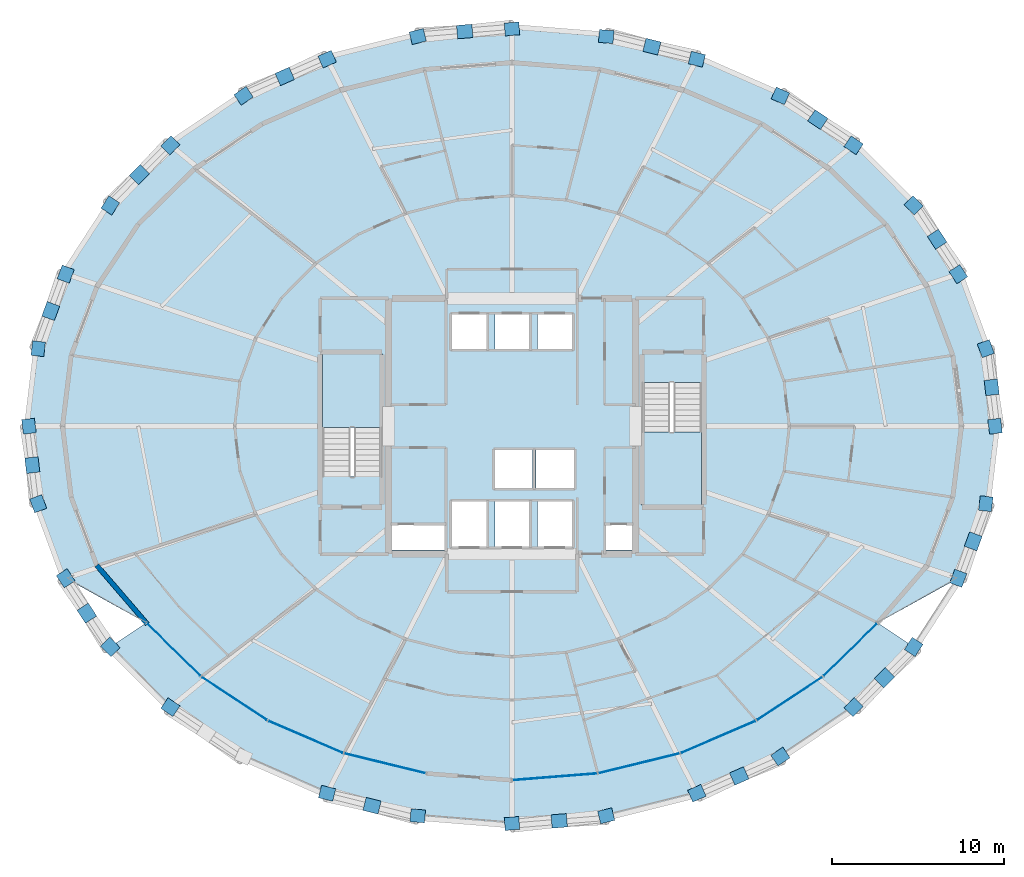
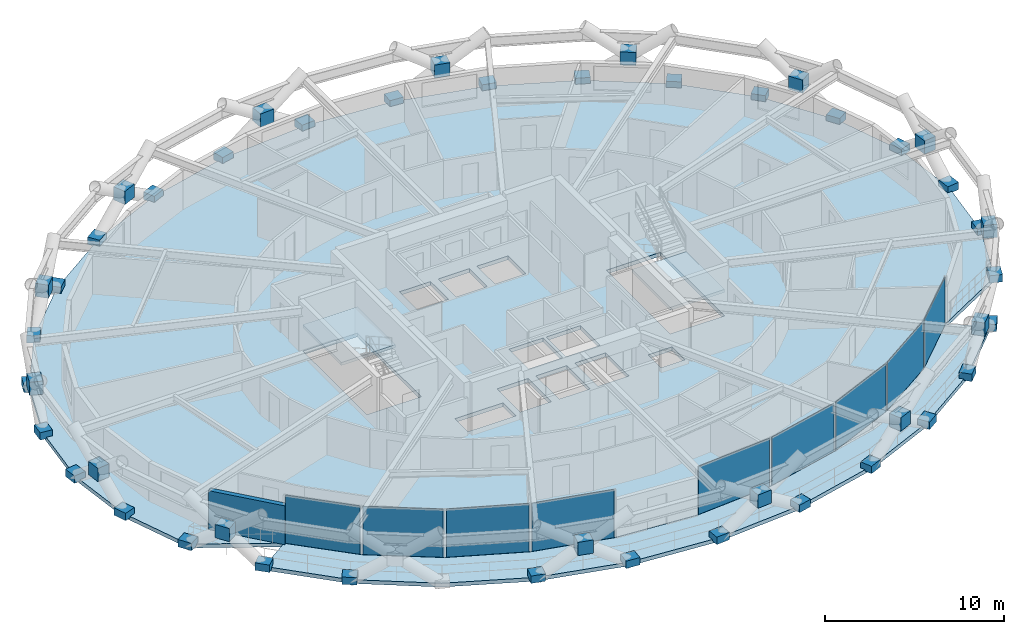
# One storey, part 12 of 19: 55 plates, 4 slabs, 1 wall, 4 elements without a shape of their own.
"""IFC4 building model written with IfcOpenShell, lengths in metres."""

from ifc_helpers import new_model, si_unit, direction, frame, frame_2d, origin, origin_2d, place, context, subcontext, project, spatial, polyline, rectangle, outline, extrude, material, layer, layer_set, type_object, element, aggregate, save


model = new_model("IFC4")

# Units and contexts
model_context = context("Model", 3, precision=1e-05, world=origin(), true_north=direction((0.0, 1.0)))
body_context = subcontext(model_context, "Body", "Model", "MODEL_VIEW")
ifc_project = project(units=[si_unit("LENGTHUNIT", "METRE"), si_unit("AREAUNIT", "SQUARE_METRE"), si_unit("VOLUMEUNIT", "CUBIC_METRE"), si_unit("PLANEANGLEUNIT", "RADIAN"), si_unit("MASSUNIT", "GRAM", prefix="KILO")], contexts=[model_context])

# Site, building, storey
site_placement = place(None, origin())
site = spatial("IfcSite", under=ifc_project, at=site_placement, CompositionType="ELEMENT")
building_placement = place(site_placement, origin())
building = spatial("IfcBuilding", under=site, at=building_placement, Name="Veldorina Hangang Commons", CompositionType="ELEMENT")
storey_placement = place(building_placement, frame((0.0, 0.0, 44.800048828125)))
storey = spatial("IfcBuildingStorey", under=building, at=storey_placement, Name="L10", CompositionType="ELEMENT", Elevation=44.800048828125)

# Curtain wall, plates
ifc_material_1 = material(Name="Glass Low-E Triple IGU", Category="glass")
ifc_layer_1 = layer(ifc_material_1, 0.179931640625)
ifc_layer_set_1 = layer_set([ifc_layer_1], Name="Glass Low-E Triple IGU")
curtain_wall_type = type_object("IfcCurtainWallType", Name="CW-SYS-Z1", PredefinedType="NOTDEFINED", material=ifc_layer_set_1)
curtain_wall_1_placement = place(storey_placement, origin())
curtain_wall_1 = element("IfcCurtainWall", 1, at=curtain_wall_1_placement, inside=storey, type_object=curtain_wall_type, Name="L10 unitised curtain wall CW-L10-R1", PredefinedType="NOTDEFINED")
ifc_layer_2 = layer(ifc_material_1, 0.0400390625)
ifc_layer_set_2 = layer_set([ifc_layer_2], Name="Glass Low-E Triple IGU")
plate_type_1 = type_object("IfcPlateType", Name="CW-PNL-VIS", PredefinedType="CURTAIN_PANEL", material=ifc_layer_set_2)
plate_1_placement = place(storey_placement, frame((12.28271484375, 10.974853515625, 0.014892578125), z_axis=(0.0, 0.0, 1.0), x_axis=(0.713922945025, -0.700224270192, 0.0)))
plate_1 = element("IfcPlate", 2, at=plate_1_placement, type_object=plate_type_1, Name="CW-L10-R1 facet 1 glazed vision panel", PredefinedType="CURTAIN_PANEL", context=body_context, shape_type="SweptSolid", body=[
    extrude(rectangle(XDim=4.28466796875, YDim=0.0400390625, at=origin_2d()), origin(), (0.0, 0.0, 1.0), 3.27001953125),
])
plate_2_placement = place(storey_placement, frame((15.818359375, 8.12890625, 0.014892578125), z_axis=(0.0, 0.0, 1.0), x_axis=(0.834386400687, -0.551179947339, 0.0)))
plate_2 = element("IfcPlate", 3, at=plate_2_placement, type_object=plate_type_1, Name="CW-L10-R1 facet 2 glazed vision panel", PredefinedType="CURTAIN_PANEL", context=body_context, shape_type="SweptSolid", body=[
    extrude(rectangle(XDim=4.474853515625, YDim=0.0400390625, at=origin_2d()), origin(), (0.0, 0.0, 1.0), 3.27001953125),
])
plate_3_placement = place(storey_placement, frame((19.975830078125, 5.892822265625, 0.014892578125), z_axis=(0.0, 0.0, 1.0), x_axis=(0.918584396813, -0.395224880204, 0.0)))
plate_3 = element("IfcPlate", 4, at=plate_3_placement, type_object=plate_type_1, Name="CW-L10-R1 facet 3 glazed vision panel", PredefinedType="CURTAIN_PANEL", context=body_context, shape_type="SweptSolid", body=[
    extrude(rectangle(XDim=4.643798828125, YDim=0.0400390625, at=origin_2d()), origin(), (0.0, 0.0, 1.0), 3.27001953125),
])
plate_4_placement = place(storey_placement, frame((24.595703125, 4.3525390625, 0.014892578125), z_axis=(0.0, 0.0, 1.0), x_axis=(0.971462249028, -0.2371942215, 0.0)))
plate_4 = element("IfcPlate", 5, at=plate_4_placement, type_object=plate_type_1, Name="CW-L10-R1 facet 4 glazed vision panel", PredefinedType="CURTAIN_PANEL", context=body_context, shape_type="SweptSolid", body=[
    extrude(rectangle(XDim=4.76953125, YDim=0.0400390625, at=origin_2d()), origin(), (0.0, 0.0, 1.0), 3.27001953125),
])
aggregate(curtain_wall_1, [plate_1, plate_2, plate_3, plate_4])

curtain_wall_2_placement = place(storey_placement, origin())
curtain_wall_2 = element("IfcCurtainWall", 6, at=curtain_wall_2_placement, inside=storey, type_object=curtain_wall_type, Name="L10 unitised curtain wall CW-L10-R2", PredefinedType="NOTDEFINED")
plate_5_placement = place(storey_placement, frame((34.500244140625, 3.5673828125, 0.014892578125), z_axis=(0.0, 0.0, 1.0), x_axis=(0.996871979188, 0.079033265847, 0.0)))
plate_5 = element("IfcPlate", 7, at=plate_5_placement, type_object=plate_type_1, Name="CW-L10-R2 facet 1 glazed vision panel", PredefinedType="CURTAIN_PANEL", context=body_context, shape_type="SweptSolid", body=[
    extrude(rectangle(XDim=4.8359375, YDim=0.0400390625, at=origin_2d()), origin(), (0.0, 0.0, 1.0), 3.27001953125),
])
plate_6_placement = place(storey_placement, frame((39.404296875, 4.3525390625, 0.014892578125), z_axis=(0.0, 0.0, 1.0), x_axis=(0.971462249028, 0.2371942215, 0.0)))
plate_6 = element("IfcPlate", 8, at=plate_6_placement, type_object=plate_type_1, Name="CW-L10-R2 facet 2 glazed vision panel", PredefinedType="CURTAIN_PANEL", context=body_context, shape_type="SweptSolid", body=[
    extrude(rectangle(XDim=4.76953125, YDim=0.0400390625, at=origin_2d()), origin(), (0.0, 0.0, 1.0), 3.27001953125),
])
plate_7_placement = place(storey_placement, frame((44.024169921875, 5.892822265625, 0.014892578125), z_axis=(0.0, 0.0, 1.0), x_axis=(0.918584396813, 0.395224880204, 0.0)))
plate_7 = element("IfcPlate", 9, at=plate_7_placement, type_object=plate_type_1, Name="CW-L10-R2 facet 3 glazed vision panel", PredefinedType="CURTAIN_PANEL", context=body_context, shape_type="SweptSolid", body=[
    extrude(rectangle(XDim=4.643798828125, YDim=0.0400390625, at=origin_2d()), origin(), (0.0, 0.0, 1.0), 3.27001953125),
])
plate_8_placement = place(storey_placement, frame((48.181640625, 8.12890625, 0.014892578125), z_axis=(0.0, 0.0, 1.0), x_axis=(0.834386400687, 0.551179947339, 0.0)))
plate_8 = element("IfcPlate", 10, at=plate_8_placement, type_object=plate_type_1, Name="CW-L10-R2 facet 4 glazed vision panel", PredefinedType="CURTAIN_PANEL", context=body_context, shape_type="SweptSolid", body=[
    extrude(rectangle(XDim=4.474853515625, YDim=0.0400390625, at=origin_2d()), origin(), (0.0, 0.0, 1.0), 3.27001953125),
])
plate_9_placement = place(storey_placement, frame((51.71728515625, 10.974853515625, 0.014892578125), z_axis=(0.0, 0.0, 1.0), x_axis=(0.713922945025, 0.700224270192, 0.0)))
plate_9 = element("IfcPlate", 11, at=plate_9_placement, type_object=plate_type_1, Name="CW-L10-R2 facet 5 glazed vision panel", PredefinedType="CURTAIN_PANEL", context=body_context, shape_type="SweptSolid", body=[
    extrude(rectangle(XDim=4.28466796875, YDim=0.0400390625, at=origin_2d()), origin(), (0.0, 0.0, 1.0), 3.27001953125),
])
aggregate(curtain_wall_2, [plate_5, plate_6, plate_7, plate_8, plate_9])

# Plates
ifc_material_2 = material(Name="Steel SM460-TMC", Category="steel")
ifc_layer_3 = layer(ifc_material_2, 0.035888671875)
ifc_layer_set_3 = layer_set([ifc_layer_3], Name="Steel SM460-TMC")
plate_type_2 = type_object("IfcPlateType", Name="PL-STAR-36", PredefinedType="USERDEFINED", material=ifc_layer_set_3)
plate_10_placement = place(storey_placement, frame((60.15087890625, 24.0, -0.090087890625), z_axis=(0.0, 0.0, 1.0), x_axis=(-0.118906538125, 0.992905451285, 0.0)))
element("IfcPlate", 12, at=plate_10_placement, inside=storey, type_object=plate_type_2, Name="L10 diagrid star-node gusset plate 00", ObjectType="GUSSET PLATE", PredefinedType="USERDEFINED", context=body_context, shape_type="SweptSolid", body=[
    extrude(rectangle(XDim=0.85009765625, YDim=0.75, at=origin_2d()), origin(), (0.0, 0.0, 1.0), 0.5),
])
plate_11_placement = place(storey_placement, frame((59.953125, 26.265380859375, 1.34423828125), z_axis=(0.0, 0.0, 1.0), x_axis=(-0.118906538125, 0.992905451285, 0.0)))
element("IfcPlate", 13, at=plate_11_placement, inside=storey, type_object=plate_type_2, Name="L10 diagrid X-crossing star-node gusset plate 00", ObjectType="GUSSET PLATE", PredefinedType="USERDEFINED", context=body_context, shape_type="SweptSolid", body=[
    extrude(rectangle(XDim=0.89990234375, YDim=0.780029296875, at=origin_2d()), origin(), (0.0, 0.0, 1.0), 0.89990234375),
])
for number, where, z_axis, x_axis, name in (
    (14, (59.60986328125, 28.5166015625, -0.090087890625), (0.0, 0.0, 1.0), (-0.346084307811, 0.938203417115, 0.0), "L10 diagrid star-node gusset plate 01"),
    (15, (58.0078125, 32.859375, -0.090087890625), (0.0, 0.0, 1.0), (-0.544961021238, 0.838461379749, 0.0), "L10 diagrid star-node gusset plate 02"),
):
    element("IfcPlate", number, at=place(storey_placement, frame(where, z_axis=z_axis, x_axis=x_axis)), inside=storey, type_object=plate_type_2, Name=name, ObjectType="GUSSET PLATE", PredefinedType="USERDEFINED", context=body_context, shape_type="SweptSolid", body=[
        extrude(rectangle(XDim=0.85009765625, YDim=0.75, at=origin_2d()), origin(), (0.0, 0.0, 1.0), 0.5),
    ])
plate_12_placement = place(storey_placement, frame((56.772216796875, 34.8955078125, 1.344482421875), z_axis=(0.0, 0.0, 1.0), x_axis=(-0.544961021238, 0.838461379749, 0.0)))
element("IfcPlate", 16, at=plate_12_placement, inside=storey, type_object=plate_type_2, Name="L10 diagrid X-crossing star-node gusset plate 02", ObjectType="GUSSET PLATE", PredefinedType="USERDEFINED", context=body_context, shape_type="SweptSolid", body=[
    extrude(rectangle(XDim=0.89990234375, YDim=0.780029296875, at=origin_2d()), origin(), (0.0, 0.0, 1.0), 0.89990234375),
])
for number, where, z_axis, x_axis, name in (
    (17, (55.406494140625, 36.86181640625, -0.090087890625), (0.0, 0.0, 1.0), (-0.706365913118, 0.707846873826, 0.0), "L10 diagrid star-node gusset plate 03"),
    (18, (51.905517578125, 40.3701171875, -0.090087890625), (0.0, 0.0, 1.0), (-0.828881384115, 0.559424392628, 0.0), "L10 diagrid star-node gusset plate 04"),
):
    element("IfcPlate", number, at=place(storey_placement, frame(where, z_axis=z_axis, x_axis=x_axis)), inside=storey, type_object=plate_type_2, Name=name, ObjectType="GUSSET PLATE", PredefinedType="USERDEFINED", context=body_context, shape_type="SweptSolid", body=[
        extrude(rectangle(XDim=0.85009765625, YDim=0.75, at=origin_2d()), origin(), (0.0, 0.0, 1.0), 0.5),
    ])
plate_13_placement = place(storey_placement, frame((49.8193359375, 41.86669921875, 1.344970703125), z_axis=(0.0, 0.0, 1.0), x_axis=(-0.828881384115, 0.559424392628, 0.0)))
element("IfcPlate", 19, at=plate_13_placement, inside=storey, type_object=plate_type_2, Name="L10 diagrid X-crossing star-node gusset plate 04", ObjectType="GUSSET PLATE", PredefinedType="USERDEFINED", context=body_context, shape_type="SweptSolid", body=[
    extrude(rectangle(XDim=0.89990234375, YDim=0.780029296875, at=origin_2d()), origin(), (0.0, 0.0, 1.0), 0.89990234375),
])
for number, where, z_axis, x_axis, name in (
    (20, (47.6396484375, 43.249267578125, -0.090087890625), (0.0, 0.0, 1.0), (-0.915459032008, 0.402411183636, 0.0), "L10 diagrid star-node gusset plate 05"),
    (21, (42.772705078125, 45.388671875, -0.090087890625), (0.0, 0.0, 1.0), (-0.970266162699, 0.24204043778, 0.0), "L10 diagrid star-node gusset plate 06"),
):
    element("IfcPlate", number, at=place(storey_placement, frame(where, z_axis=z_axis, x_axis=x_axis)), inside=storey, type_object=plate_type_2, Name=name, ObjectType="GUSSET PLATE", PredefinedType="USERDEFINED", context=body_context, shape_type="SweptSolid", body=[
        extrude(rectangle(XDim=0.85009765625, YDim=0.75, at=origin_2d()), origin(), (0.0, 0.0, 1.0), 0.5),
    ])
plate_14_placement = place(storey_placement, frame((40.15380859375, 46.117431640625, 1.34521484375), z_axis=(0.0, 0.0, 1.0), x_axis=(-0.970266162699, 0.24204043778, 0.0)))
element("IfcPlate", 22, at=plate_14_placement, inside=storey, type_object=plate_type_2, Name="L10 diagrid X-crossing star-node gusset plate 06", ObjectType="GUSSET PLATE", PredefinedType="USERDEFINED", context=body_context, shape_type="SweptSolid", body=[
    extrude(rectangle(XDim=0.89990234375, YDim=0.780029296875, at=origin_2d()), origin(), (0.0, 0.0, 1.0), 0.89990234375),
])
for number, where, z_axis, x_axis, name in (
    (23, (37.491943359375, 46.7060546875, -0.090087890625), (0.0, 0.0, 1.0), (-0.996736749763, 0.080720825512, 0.0), "L10 diagrid star-node gusset plate 07"),
    (24, (32.0, 47.15087890625, -0.090087890625), (0.0, 0.0, 1.0), (-0.996736749763, -0.080720825512, 0.0), "L10 diagrid star-node gusset plate 08"),
):
    element("IfcPlate", number, at=place(storey_placement, frame(where, z_axis=z_axis, x_axis=x_axis)), inside=storey, type_object=plate_type_2, Name=name, ObjectType="GUSSET PLATE", PredefinedType="USERDEFINED", context=body_context, shape_type="SweptSolid", body=[
        extrude(rectangle(XDim=0.85009765625, YDim=0.75, at=origin_2d()), origin(), (0.0, 0.0, 1.0), 0.5),
    ])
plate_15_placement = place(storey_placement, frame((29.246826171875, 47.0009765625, 1.34521484375), z_axis=(0.0, 0.0, 1.0), x_axis=(-0.996736749763, -0.080720825512, 0.0)))
element("IfcPlate", 25, at=plate_15_placement, inside=storey, type_object=plate_type_2, Name="L10 diagrid X-crossing star-node gusset plate 08", ObjectType="GUSSET PLATE", PredefinedType="USERDEFINED", context=body_context, shape_type="SweptSolid", body=[
    extrude(rectangle(XDim=0.89990234375, YDim=0.780029296875, at=origin_2d()), origin(), (0.0, 0.0, 1.0), 0.89990234375),
])
for number, where, z_axis, x_axis, name in (
    (26, (26.508056640625, 46.7060546875, -0.090087890625), (0.0, 0.0, 1.0), (-0.970266162699, -0.24204043778, 0.0), "L10 diagrid star-node gusset plate 09"),
    (27, (21.227294921875, 45.388671875, -0.090087890625), (0.0, 0.0, 1.0), (-0.915459032008, -0.402411183636, 0.0), "L10 diagrid star-node gusset plate 10"),
):
    element("IfcPlate", number, at=place(storey_placement, frame(where, z_axis=z_axis, x_axis=x_axis)), inside=storey, type_object=plate_type_2, Name=name, ObjectType="GUSSET PLATE", PredefinedType="USERDEFINED", context=body_context, shape_type="SweptSolid", body=[
        extrude(rectangle(XDim=0.85009765625, YDim=0.75, at=origin_2d()), origin(), (0.0, 0.0, 1.0), 0.5),
    ])
plate_16_placement = place(storey_placement, frame((18.759521484375, 44.3828125, 1.34521484375), z_axis=(0.0, 0.0, 1.0), x_axis=(-0.915459032008, -0.402411183636, 0.0)))
element("IfcPlate", 28, at=plate_16_placement, inside=storey, type_object=plate_type_2, Name="L10 diagrid X-crossing star-node gusset plate 10", ObjectType="GUSSET PLATE", PredefinedType="USERDEFINED", context=body_context, shape_type="SweptSolid", body=[
    extrude(rectangle(XDim=0.89990234375, YDim=0.780029296875, at=origin_2d()), origin(), (0.0, 0.0, 1.0), 0.89990234375),
])
for number, where, z_axis, x_axis, name in (
    (29, (16.3603515625, 43.249267578125, -0.090087890625), (0.0, 0.0, 1.0), (-0.828881384115, -0.559424392628, 0.0), "L10 diagrid star-node gusset plate 11"),
    (30, (12.094482421875, 40.3701171875, -0.090087890625), (0.0, 0.0, 1.0), (-0.706365913118, -0.707846873826, 0.0), "L10 diagrid star-node gusset plate 12"),
):
    element("IfcPlate", number, at=place(storey_placement, frame(where, z_axis=z_axis, x_axis=x_axis)), inside=storey, type_object=plate_type_2, Name=name, ObjectType="GUSSET PLATE", PredefinedType="USERDEFINED", context=body_context, shape_type="SweptSolid", body=[
        extrude(rectangle(XDim=0.85009765625, YDim=0.75, at=origin_2d()), origin(), (0.0, 0.0, 1.0), 0.5),
    ])
plate_17_placement = place(storey_placement, frame((10.2880859375, 38.661865234375, 1.3447265625), z_axis=(0.0, 0.0, 1.0), x_axis=(-0.706365913118, -0.707846873826, 0.0)))
element("IfcPlate", 31, at=plate_17_placement, inside=storey, type_object=plate_type_2, Name="L10 diagrid X-crossing star-node gusset plate 12", ObjectType="GUSSET PLATE", PredefinedType="USERDEFINED", context=body_context, shape_type="SweptSolid", body=[
    extrude(rectangle(XDim=0.89990234375, YDim=0.780029296875, at=origin_2d()), origin(), (0.0, 0.0, 1.0), 0.89990234375),
])
for number, where, z_axis, x_axis, name in (
    (32, (8.593505859375, 36.86181640625, -0.090087890625), (0.0, 0.0, 1.0), (-0.544961021238, -0.838461379749, 0.0), "L10 diagrid star-node gusset plate 13"),
    (33, (5.9921875, 32.859375, -0.090087890625), (0.0, 0.0, 1.0), (-0.346084307811, -0.938203417115, 0.0), "L10 diagrid star-node gusset plate 14"),
):
    element("IfcPlate", number, at=place(storey_placement, frame(where, z_axis=z_axis, x_axis=x_axis)), inside=storey, type_object=plate_type_2, Name=name, ObjectType="GUSSET PLATE", PredefinedType="USERDEFINED", context=body_context, shape_type="SweptSolid", body=[
        extrude(rectangle(XDim=0.85009765625, YDim=0.75, at=origin_2d()), origin(), (0.0, 0.0, 1.0), 0.5),
    ])
plate_18_placement = place(storey_placement, frame((5.12158203125, 30.708984375, 1.344482421875), z_axis=(0.0, 0.0, 1.0), x_axis=(-0.346084307811, -0.938203417115, 0.0)))
element("IfcPlate", 34, at=plate_18_placement, inside=storey, type_object=plate_type_2, Name="L10 diagrid X-crossing star-node gusset plate 14", ObjectType="GUSSET PLATE", PredefinedType="USERDEFINED", context=body_context, shape_type="SweptSolid", body=[
    extrude(rectangle(XDim=0.89990234375, YDim=0.780029296875, at=origin_2d()), origin(), (0.0, 0.0, 1.0), 0.89990234375),
])
for number, where, z_axis, x_axis, name in (
    (35, (4.39013671875, 28.5166015625, -0.090087890625), (0.0, 0.0, 1.0), (-0.118906538125, -0.992905451285, 0.0), "L10 diagrid star-node gusset plate 15"),
    (36, (3.84912109375, 24.0, -0.090087890625), (0.0, 0.0, 1.0), (0.118906538125, -0.992905451285, 0.0), "L10 diagrid star-node gusset plate 16"),
):
    element("IfcPlate", number, at=place(storey_placement, frame(where, z_axis=z_axis, x_axis=x_axis)), inside=storey, type_object=plate_type_2, Name=name, ObjectType="GUSSET PLATE", PredefinedType="USERDEFINED", context=body_context, shape_type="SweptSolid", body=[
        extrude(rectangle(XDim=0.85009765625, YDim=0.75, at=origin_2d()), origin(), (0.0, 0.0, 1.0), 0.5),
    ])
plate_19_placement = place(storey_placement, frame((4.046875, 21.734619140625, 1.34423828125), z_axis=(0.0, 0.0, 1.0), x_axis=(0.118906538125, -0.992905451285, 0.0)))
element("IfcPlate", 37, at=plate_19_placement, inside=storey, type_object=plate_type_2, Name="L10 diagrid X-crossing star-node gusset plate 16", ObjectType="GUSSET PLATE", PredefinedType="USERDEFINED", context=body_context, shape_type="SweptSolid", body=[
    extrude(rectangle(XDim=0.89990234375, YDim=0.780029296875, at=origin_2d()), origin(), (0.0, 0.0, 1.0), 0.89990234375),
])
for number, where, z_axis, x_axis, name in (
    (38, (4.39013671875, 19.4833984375, -0.090087890625), (0.0, 0.0, 1.0), (0.346084307811, -0.938203417115, 0.0), "L10 diagrid star-node gusset plate 17"),
    (39, (5.9921875, 15.140625, -0.090087890625), (0.0, 0.0, 1.0), (0.544961021238, -0.838461379749, 0.0), "L10 diagrid star-node gusset plate 18"),
):
    element("IfcPlate", number, at=place(storey_placement, frame(where, z_axis=z_axis, x_axis=x_axis)), inside=storey, type_object=plate_type_2, Name=name, ObjectType="GUSSET PLATE", PredefinedType="USERDEFINED", context=body_context, shape_type="SweptSolid", body=[
        extrude(rectangle(XDim=0.85009765625, YDim=0.75, at=origin_2d()), origin(), (0.0, 0.0, 1.0), 0.5),
    ])
plate_20_placement = place(storey_placement, frame((7.227783203125, 13.1044921875, 1.344482421875), z_axis=(0.0, 0.0, 1.0), x_axis=(0.544961021238, -0.838461379749, 0.0)))
element("IfcPlate", 40, at=plate_20_placement, inside=storey, type_object=plate_type_2, Name="L10 diagrid X-crossing star-node gusset plate 18", ObjectType="GUSSET PLATE", PredefinedType="USERDEFINED", context=body_context, shape_type="SweptSolid", body=[
    extrude(rectangle(XDim=0.89990234375, YDim=0.780029296875, at=origin_2d()), origin(), (0.0, 0.0, 1.0), 0.89990234375),
])
for number, where, z_axis, x_axis, name in (
    (41, (8.593505859375, 11.13818359375, -0.090087890625), (0.0, 0.0, 1.0), (0.706365913118, -0.707846873826, 0.0), "L10 diagrid star-node gusset plate 19"),
    (42, (12.094482421875, 7.6298828125, -0.090087890625), (0.0, 0.0, 1.0), (0.828881384115, -0.559424392628, 0.0), "L10 diagrid star-node gusset plate 20"),
    (43, (21.227294921875, 2.611328125, -0.090087890625), (0.0, 0.0, 1.0), (0.970266162699, -0.24204043778, 0.0), "L10 diagrid star-node gusset plate 22"),
):
    element("IfcPlate", number, at=place(storey_placement, frame(where, z_axis=z_axis, x_axis=x_axis)), inside=storey, type_object=plate_type_2, Name=name, ObjectType="GUSSET PLATE", PredefinedType="USERDEFINED", context=body_context, shape_type="SweptSolid", body=[
        extrude(rectangle(XDim=0.85009765625, YDim=0.75, at=origin_2d()), origin(), (0.0, 0.0, 1.0), 0.5),
    ])
plate_21_placement = place(storey_placement, frame((23.84619140625, 1.882568359375, 1.34521484375), z_axis=(0.0, 0.0, 1.0), x_axis=(0.970266162699, -0.24204043778, 0.0)))
element("IfcPlate", 44, at=plate_21_placement, inside=storey, type_object=plate_type_2, Name="L10 diagrid X-crossing star-node gusset plate 22", ObjectType="GUSSET PLATE", PredefinedType="USERDEFINED", context=body_context, shape_type="SweptSolid", body=[
    extrude(rectangle(XDim=0.89990234375, YDim=0.780029296875, at=origin_2d()), origin(), (0.0, 0.0, 1.0), 0.89990234375),
])
for number, where, z_axis, x_axis, name in (
    (45, (26.508056640625, 1.2939453125, -0.090087890625), (0.0, 0.0, 1.0), (0.996736749763, -0.080720825512, 0.0), "L10 diagrid star-node gusset plate 23"),
    (46, (32.0, 0.84912109375, -0.090087890625), (0.0, 0.0, 1.0), (0.996736749763, 0.080720825512, 0.0), "L10 diagrid star-node gusset plate 24"),
):
    element("IfcPlate", number, at=place(storey_placement, frame(where, z_axis=z_axis, x_axis=x_axis)), inside=storey, type_object=plate_type_2, Name=name, ObjectType="GUSSET PLATE", PredefinedType="USERDEFINED", context=body_context, shape_type="SweptSolid", body=[
        extrude(rectangle(XDim=0.85009765625, YDim=0.75, at=origin_2d()), origin(), (0.0, 0.0, 1.0), 0.5),
    ])
plate_22_placement = place(storey_placement, frame((34.753173828125, 0.9990234375, 1.34521484375), z_axis=(0.0, 0.0, 1.0), x_axis=(0.996736749763, 0.080720825512, 0.0)))
element("IfcPlate", 47, at=plate_22_placement, inside=storey, type_object=plate_type_2, Name="L10 diagrid X-crossing star-node gusset plate 24", ObjectType="GUSSET PLATE", PredefinedType="USERDEFINED", context=body_context, shape_type="SweptSolid", body=[
    extrude(rectangle(XDim=0.89990234375, YDim=0.780029296875, at=origin_2d()), origin(), (0.0, 0.0, 1.0), 0.89990234375),
])
for number, where, z_axis, x_axis, name in (
    (48, (37.491943359375, 1.2939453125, -0.090087890625), (0.0, 0.0, 1.0), (0.970266162699, 0.24204043778, 0.0), "L10 diagrid star-node gusset plate 25"),
    (49, (42.772705078125, 2.611328125, -0.090087890625), (0.0, 0.0, 1.0), (0.915459032008, 0.402411183636, 0.0), "L10 diagrid star-node gusset plate 26"),
):
    element("IfcPlate", number, at=place(storey_placement, frame(where, z_axis=z_axis, x_axis=x_axis)), inside=storey, type_object=plate_type_2, Name=name, ObjectType="GUSSET PLATE", PredefinedType="USERDEFINED", context=body_context, shape_type="SweptSolid", body=[
        extrude(rectangle(XDim=0.85009765625, YDim=0.75, at=origin_2d()), origin(), (0.0, 0.0, 1.0), 0.5),
    ])
plate_23_placement = place(storey_placement, frame((45.240478515625, 3.6171875, 1.34521484375), z_axis=(0.0, 0.0, 1.0), x_axis=(0.915459032008, 0.402411183636, 0.0)))
element("IfcPlate", 50, at=plate_23_placement, inside=storey, type_object=plate_type_2, Name="L10 diagrid X-crossing star-node gusset plate 26", ObjectType="GUSSET PLATE", PredefinedType="USERDEFINED", context=body_context, shape_type="SweptSolid", body=[
    extrude(rectangle(XDim=0.89990234375, YDim=0.780029296875, at=origin_2d()), origin(), (0.0, 0.0, 1.0), 0.89990234375),
])
for number, where, z_axis, x_axis, name in (
    (51, (47.6396484375, 4.750732421875, -0.090087890625), (0.0, 0.0, 1.0), (0.828881384115, 0.559424392628, 0.0), "L10 diagrid star-node gusset plate 27"),
    (52, (51.905517578125, 7.6298828125, -0.090087890625), (0.0, 0.0, 1.0), (0.706365913118, 0.707846873826, 0.0), "L10 diagrid star-node gusset plate 28"),
):
    element("IfcPlate", number, at=place(storey_placement, frame(where, z_axis=z_axis, x_axis=x_axis)), inside=storey, type_object=plate_type_2, Name=name, ObjectType="GUSSET PLATE", PredefinedType="USERDEFINED", context=body_context, shape_type="SweptSolid", body=[
        extrude(rectangle(XDim=0.85009765625, YDim=0.75, at=origin_2d()), origin(), (0.0, 0.0, 1.0), 0.5),
    ])
plate_24_placement = place(storey_placement, frame((53.7119140625, 9.338134765625, 1.3447265625), z_axis=(0.0, 0.0, 1.0), x_axis=(0.706365913118, 0.707846873826, 0.0)))
element("IfcPlate", 53, at=plate_24_placement, inside=storey, type_object=plate_type_2, Name="L10 diagrid X-crossing star-node gusset plate 28", ObjectType="GUSSET PLATE", PredefinedType="USERDEFINED", context=body_context, shape_type="SweptSolid", body=[
    extrude(rectangle(XDim=0.89990234375, YDim=0.780029296875, at=origin_2d()), origin(), (0.0, 0.0, 1.0), 0.89990234375),
])
for number, where, z_axis, x_axis, name in (
    (54, (55.406494140625, 11.13818359375, -0.090087890625), (0.0, 0.0, 1.0), (0.544961021238, 0.838461379749, 0.0), "L10 diagrid star-node gusset plate 29"),
    (55, (58.0078125, 15.140625, -0.090087890625), (0.0, 0.0, 1.0), (0.346084307811, 0.938203417115, 0.0), "L10 diagrid star-node gusset plate 30"),
):
    element("IfcPlate", number, at=place(storey_placement, frame(where, z_axis=z_axis, x_axis=x_axis)), inside=storey, type_object=plate_type_2, Name=name, ObjectType="GUSSET PLATE", PredefinedType="USERDEFINED", context=body_context, shape_type="SweptSolid", body=[
        extrude(rectangle(XDim=0.85009765625, YDim=0.75, at=origin_2d()), origin(), (0.0, 0.0, 1.0), 0.5),
    ])
plate_25_placement = place(storey_placement, frame((58.87841796875, 17.291015625, 1.344482421875), z_axis=(0.0, 0.0, 1.0), x_axis=(0.346084307811, 0.938203417115, 0.0)))
element("IfcPlate", 56, at=plate_25_placement, inside=storey, type_object=plate_type_2, Name="L10 diagrid X-crossing star-node gusset plate 30", ObjectType="GUSSET PLATE", PredefinedType="USERDEFINED", context=body_context, shape_type="SweptSolid", body=[
    extrude(rectangle(XDim=0.89990234375, YDim=0.780029296875, at=origin_2d()), origin(), (0.0, 0.0, 1.0), 0.89990234375),
])
plate_26_placement = place(storey_placement, frame((59.60986328125, 19.4833984375, -0.090087890625), z_axis=(0.0, 0.0, 1.0), x_axis=(0.118906538125, 0.992905451285, 0.0)))
element("IfcPlate", 57, at=plate_26_placement, inside=storey, type_object=plate_type_2, Name="L10 diagrid star-node gusset plate 31", ObjectType="GUSSET PLATE", PredefinedType="USERDEFINED", context=body_context, shape_type="SweptSolid", body=[
    extrude(rectangle(XDim=0.85009765625, YDim=0.75, at=origin_2d()), origin(), (0.0, 0.0, 1.0), 0.5),
])

# Slabs
ifc_material_3 = material(Name="Concrete C40/50", Category="concrete")
ifc_layer_4 = layer(ifc_material_3, 0.260009765625)
ifc_layer_set_4 = layer_set([ifc_layer_4], Name="Concrete C40/50")
slab_type_1 = type_object("IfcSlabType", Name="SL-FLR-260", PredefinedType="FLOOR", material=ifc_layer_set_4)
slab_1_placement = place(storey_placement, frame((0.0, 0.0, -0.260009765625)))
element("IfcSlab", 58, at=slab_1_placement, inside=storey, type_object=slab_type_1, Name="L10 tower structural floor slab", PredefinedType="FLOOR", context=body_context, shape_type="SweptSolid", body=[
    extrude(outline(polyline([(60.15087890625, 24.0), (59.60986328125, 28.5166015625), (58.0078125, 32.859375), (55.406494140625, 36.86181640625), (51.905517578125, 40.3701171875), (47.6396484375, 43.249267578125), (42.772705078125, 45.388671875), (37.491943359375, 46.7060546875), (32.0, 47.15087890625), (26.508056640625, 46.7060546875), (21.227294921875, 45.388671875), (16.3603515625, 43.249267578125), (12.094482421875, 40.3701171875), (8.593505859375, 36.86181640625), (5.9921875, 32.859375), (4.39013671875, 28.5166015625), (3.84912109375, 24.0), (4.39013671875, 19.4833984375), (5.9921875, 15.140625), (10.688720703125, 12.5380859375), (13.876220703125, 9.411865234375), (17.76025390625, 6.84619140625), (22.19140625, 4.939697265625), (26.999755859375, 3.765625), (32.0, 3.369140625), (37.000244140625, 3.765625), (41.80859375, 4.939697265625), (46.23974609375, 6.84619140625), (50.123779296875, 9.411865234375), (53.311279296875, 12.5380859375), (58.0078125, 15.140625), (59.60986328125, 19.4833984375), (60.15087890625, 24.0)]), holes=[polyline([(20.949951171875, 21.05810546875), (20.949951171875, 28.199951171875), (24.449951171875, 28.199951171875), (24.449951171875, 21.05810546875), (20.949951171875, 21.05810546875)]), polyline([(43.050048828125, 26.5419921875), (43.050048828125, 19.39990234375), (39.550048828125, 19.39990234375), (39.550048828125, 26.5419921875), (43.050048828125, 26.5419921875)]), polyline([(28.5, 30.5), (30.5, 30.5), (30.5, 28.5), (28.5, 28.5), (28.5, 30.5)]), polyline([(31.0, 30.5), (33.0, 30.5), (33.0, 28.5), (31.0, 28.5), (31.0, 30.5)]), polyline([(33.5, 30.5), (35.5, 30.5), (35.5, 28.5), (33.5, 28.5), (33.5, 30.5)]), polyline([(31.0, 22.60009765625), (33.199951171875, 22.60009765625), (33.199951171875, 20.39990234375), (31.0, 20.39990234375), (31.0, 22.60009765625)]), polyline([(33.39990234375, 22.60009765625), (35.60009765625, 22.60009765625), (35.60009765625, 20.39990234375), (33.39990234375, 20.39990234375), (33.39990234375, 22.60009765625)]), polyline([(28.5, 19.60009765625), (30.5, 19.60009765625), (30.5, 17.0), (28.5, 17.0), (28.5, 19.60009765625)]), polyline([(31.0, 19.60009765625), (33.0, 19.60009765625), (33.0, 17.0), (31.0, 17.0), (31.0, 19.60009765625)]), polyline([(33.5, 19.60009765625), (35.5, 19.60009765625), (35.5, 17.0), (33.5, 17.0), (33.5, 19.60009765625)]), polyline([(25.0, 18.25), (28.10009765625, 18.25), (28.10009765625, 16.800048828125), (25.0, 16.800048828125), (25.0, 18.25)]), polyline([(37.449951171875, 18.25), (39.0, 18.25), (39.0, 16.800048828125), (37.449951171875, 16.800048828125), (37.449951171875, 18.25)])]), origin(), (0.0, 0.0, 1.0), 0.260009765625),
])
slab_2_placement = place(storey_placement, frame((0.0, 0.0, -0.260009765625)))
element("IfcSlab", 59, at=slab_2_placement, inside=storey, type_object=slab_type_1, Name="L10 sky-garden loggia outdoor slab", PredefinedType="FLOOR", context=body_context, shape_type="SweptSolid", body=[
    extrude(outline(polyline([(55.406494140625, 11.13818359375), (51.905517578125, 7.6298828125), (47.6396484375, 4.750732421875), (42.772705078125, 2.611328125), (37.491943359375, 1.2939453125), (32.0, 0.84912109375), (26.508056640625, 1.2939453125), (21.227294921875, 2.611328125), (16.3603515625, 4.750732421875), (12.094482421875, 7.6298828125), (8.593505859375, 11.13818359375), (10.6748046875, 12.52880859375), (10.6796875, 12.52587890625), (13.86572265625, 9.401123046875), (13.866943359375, 9.400146484375), (13.867919921875, 9.3994140625), (17.751953125, 6.83349609375), (17.753173828125, 6.8330078125), (17.75439453125, 6.832275390625), (22.185546875, 4.92578125), (22.186767578125, 4.92529296875), (22.18798828125, 4.925048828125), (26.99609375, 3.7509765625), (26.997314453125, 3.750732421875), (26.99853515625, 3.75048828125), (31.998779296875, 3.354248046875), (32.0, 3.354248046875), (32.001220703125, 3.354248046875), (37.00146484375, 3.75048828125), (37.002685546875, 3.750732421875), (37.00390625, 3.7509765625), (41.81201171875, 4.925048828125), (41.813232421875, 4.92529296875), (41.814453125, 4.92578125), (46.24560546875, 6.832275390625), (46.246826171875, 6.8330078125), (46.248046875, 6.83349609375), (50.132080078125, 9.3994140625), (50.133056640625, 9.400146484375), (50.13427734375, 9.401123046875), (53.3203125, 12.52587890625), (53.3251953125, 12.52880859375), (55.406494140625, 11.13818359375)])), origin(), (0.0, 0.0, 1.0), 0.260009765625),
])

# Stair, slab
stair_type = type_object("IfcStairType", Name="STR-DOG-1650-20R", PredefinedType="HALF_TURN_STAIR", material=ifc_material_3)
stair_1_placement = place(storey_placement, origin())
stair_1 = element("IfcStair", 60, at=stair_1_placement, inside=storey, type_object=stair_type, Name="L10 Exit stair ST-1", PredefinedType="HALF_TURN_STAIR")
ifc_layer_5 = layer(ifc_material_3, 0.199951171875)
ifc_layer_set_5 = layer_set([ifc_layer_5], Name="Concrete C40/50")
slab_type_2 = type_object("IfcSlabType", Name="SL-LND-200", PredefinedType="LANDING", material=ifc_layer_set_5)
slab_3_placement = place(storey_placement, frame((0.0, 0.0, 1.599853515625)))
slab_3 = element("IfcSlab", 61, at=slab_3_placement, type_object=slab_type_2, Name="ST-1 landing 1", PredefinedType="LANDING", context=body_context, shape_type="SweptSolid", body=[
    extrude(outline(polyline([(24.449951171875, 23.929931640625), (24.449951171875, 28.199951171875), (20.949951171875, 28.199951171875), (20.949951171875, 23.929931640625), (24.449951171875, 23.929931640625)])), origin(), (0.0, 0.0, 1.0), 0.2001953125),
])
aggregate(stair_1, [slab_3])

stair_2_placement = place(storey_placement, origin())
stair_2 = element("IfcStair", 62, at=stair_2_placement, inside=storey, type_object=stair_type, Name="L10 Exit stair ST-2", PredefinedType="HALF_TURN_STAIR")
slab_4_placement = place(storey_placement, frame((0.0, 0.0, 1.599853515625)))
slab_4 = element("IfcSlab", 63, at=slab_4_placement, type_object=slab_type_2, Name="ST-2 landing 1", PredefinedType="LANDING", context=body_context, shape_type="SweptSolid", body=[
    extrude(outline(polyline([(39.550048828125, 23.669921875), (39.550048828125, 19.39990234375), (43.050048828125, 19.39990234375), (43.050048828125, 23.669921875), (39.550048828125, 23.669921875)])), origin(), (0.0, 0.0, 1.0), 0.2001953125),
])
aggregate(stair_2, [slab_4])

# Wall
ifc_material_4 = material(Name="Stone Roman Travertine", Category="masonry")
ifc_layer_6 = layer(ifc_material_4, 0.280029296875)
ifc_layer_set_6 = layer_set([ifc_layer_6], Name="Stone Roman Travertine")
wall_type = type_object("IfcWallType", Name="EW-TRAV-280", PredefinedType="STANDARD", material=ifc_layer_set_6)
wall_placement = place(storey_placement, frame((7.802978515625, 15.890625, 0.0), z_axis=(0.0, 0.0, 1.0), x_axis=(0.652392900896, -0.757880929211, 0.0)))
element("IfcWall", 64, at=wall_placement, inside=storey, type_object=wall_type, Name="L10 travertine facade wall 18", PredefinedType="STANDARD", context=body_context, shape_type="SweptSolid", body=[
    extrude(rectangle(XDim=4.515380859375, YDim=0.280029296875, at=frame_2d((2.2578125, 0.0))), origin(), (0.0, 0.0, 1.0), 2.64990234375),
])

save(model, "model.ifc")
